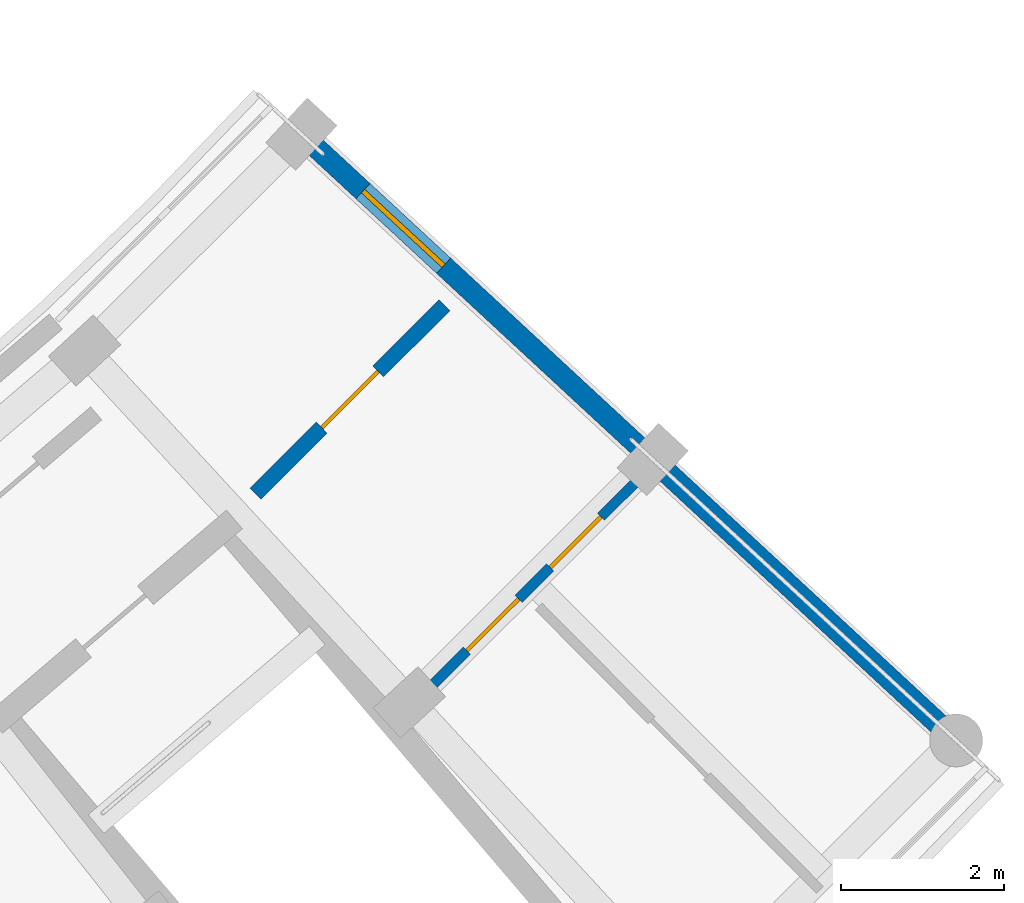
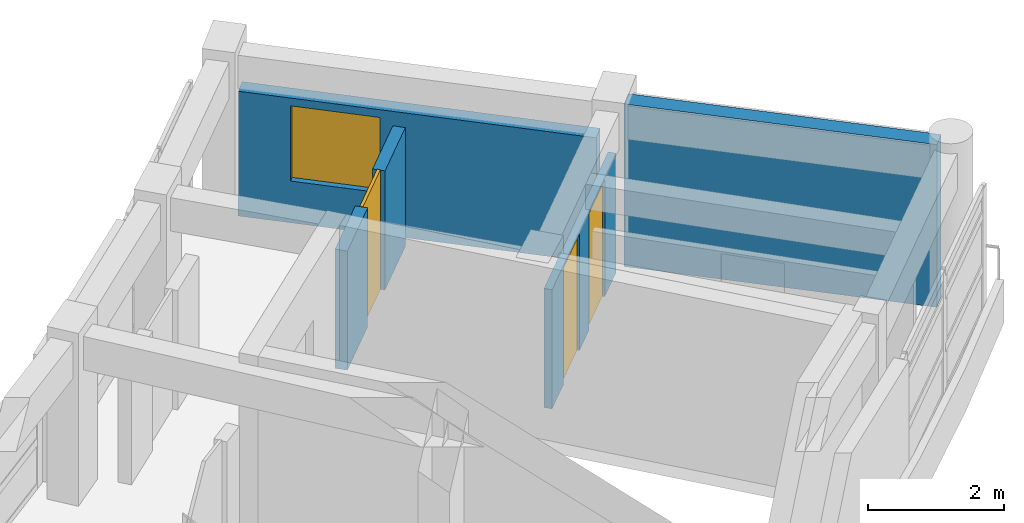
# One storey, part 39 of 54: 4 walls, 3 doors, 1 window, 4 openings.
"""IFC4 building model written with IfcOpenShell, lengths in metres."""

from ifc_helpers import new_model, si_unit, direction, frame, frame_2d, origin, place, context, subcontext, project, spatial, rectangle, extrude, material, layer, layer_set, type_object, element, fill, save


model = new_model("IFC4")

# Units and contexts
model_context = context("Model", 3, precision=1e-05, world=origin(), true_north=direction((0.0, 1.0)))
body_context = subcontext(model_context, "Body", "Model", "MODEL_VIEW")
ifc_project = project(units=[si_unit("LENGTHUNIT", "METRE"), si_unit("AREAUNIT", "SQUARE_METRE"), si_unit("VOLUMEUNIT", "CUBIC_METRE"), si_unit("PLANEANGLEUNIT", "RADIAN"), si_unit("MASSUNIT", "GRAM", prefix="KILO")], contexts=[model_context])

# Site, building, storey
site_placement = place(None, origin())
site = spatial("IfcSite", under=ifc_project, at=site_placement, CompositionType="ELEMENT")
building_placement = place(site_placement, origin())
building = spatial("IfcBuilding", under=site, at=building_placement, Name="Zimvara Arc Housing Community", CompositionType="ELEMENT")
storey_placement = place(building_placement, frame((0.0, 0.0, 23.60009765625)))
storey = spatial("IfcBuildingStorey", under=building, at=storey_placement, Name="L07", CompositionType="ELEMENT", Elevation=23.60009765625)

# Wall, opening, window
ifc_material_1 = material(Name="Board-Marked Fair-Faced Concrete C35/45", Category="concrete")
ifc_layer_1 = layer(ifc_material_1, 0.2548828125)
ifc_layer_set_1 = layer_set([ifc_layer_1], Name="Board-Marked Fair-Faced Concrete C35/45")
wall_type_1 = type_object("IfcWallType", Name="EWL-CONC-255", PredefinedType="SOLIDWALL", material=ifc_layer_set_1)
wall_1_placement = place(storey_placement, frame((161.31640625, 77.13818359375, 0.0), z_axis=(0.0, 0.0, 1.0), x_axis=(0.733734795505, -0.679435979225, 0.0)))
wall_1 = element("IfcWall", 1, at=wall_1_placement, inside=storey, type_object=wall_type_1, Name="ewall:blkD:L07:gN", PredefinedType="SOLIDWALL", context=body_context, shape_type="SweptSolid", body=[
    extrude(rectangle(XDim=5.39990234375, YDim=0.2548828125, at=frame_2d((2.699951171875, 0.0))), origin(), (0.0, 0.0, 1.0), 2.239990234375),
])
opening_1_placement = place(wall_1_placement, frame((0.7900390625, 0.0, 0.75)))
opening_1 = element("IfcOpeningElement", 2, at=opening_1_placement, cuts=wall_1, Name="Opening W12", PredefinedType="OPENING", context=body_context, shape_type="SweptSolid", body=[
    extrude(rectangle(XDim=1.35009765625, YDim=1.35009765625, at=frame_2d((0.675048828125, 0.675048828125))), frame((0.0, 0.137451171875, 0.0), z_axis=(0.0, -1.0, 0.0), x_axis=(1.0, 0.0, 0.0)), (0.0, 0.0, 1.0), 0.27490234375),
])
ifc_material_2 = material(Name="Solar Control Low-E Double Glazing", Category="glass")
window_type = type_object("IfcWindowType", Name="WIN-RES-1350x1350", PartitioningType="DOUBLE_PANEL_VERTICAL", PredefinedType="WINDOW", material=ifc_material_2)
window_placement = place(opening_1_placement, origin())
window = element("IfcWindow", 3, at=window_placement, inside=storey, type_object=window_type, Name="win:blkD:L07:gN:w", OverallHeight=1.35009765625, OverallWidth=1.35009765625, PartitioningType="DOUBLE_PANEL_VERTICAL", PredefinedType="WINDOW", context=body_context, shape_type="SweptSolid", body=[
    extrude(rectangle(XDim=1.35009765625, YDim=1.35009765625, at=frame_2d((0.675048828125, 0.675048828125))), frame((0.0, 0.030029296875, 0.0), z_axis=(0.0, -1.0, 0.0), x_axis=(1.0, 0.0, 0.0)), (0.0, 0.0, 1.0), 0.06005859375),
])
fill(opening_1, window)

# Wall, opening, door
ifc_material_3 = material(Name="Concrete C35/45", Category="concrete")
ifc_layer_2 = layer(ifc_material_3, 0.18994140625)
ifc_layer_set_2 = layer_set([ifc_layer_2], Name="Concrete C35/45")
wall_type_2 = type_object("IfcWallType", Name="IWL-CORR-190", PredefinedType="SOLIDWALL", material=ifc_layer_set_2)
wall_2_placement = place(storey_placement, frame((160.576416015625, 72.8837890625, 0.0), z_axis=(0.0, 0.0, 1.0), x_axis=(0.70773973846, 0.706473256822, 0.0)))
wall_2 = element("IfcWall", 4, at=wall_2_placement, inside=storey, type_object=wall_type_2, Name="iwall:blkD:L07:corr_out:b9", PredefinedType="SOLIDWALL", context=body_context, shape_type="SweptSolid", body=[
    extrude(rectangle(XDim=3.277099609375, YDim=0.18994140625, at=frame_2d((1.638671875, 0.0))), origin(), (0.0, 0.0, 1.0), 2.139892578125),
])
opening_2_placement = place(wall_2_placement, frame((1.1484375, 0.0, 0.0)))
opening_2 = element("IfcOpeningElement", 5, at=opening_2_placement, cuts=wall_2, Name="Opening FD-FL1", PredefinedType="OPENING", context=body_context, shape_type="SweptSolid", body=[
    extrude(rectangle(XDim=0.97998046875, YDim=2.14990234375, at=frame_2d((0.489990234375, 1.074951171875))), frame((0.0, 0.10498046875, 0.0), z_axis=(0.0, -1.0, 0.0), x_axis=(1.0, 0.0, 0.0)), (0.0, 0.0, 1.0), 0.2099609375),
])
ifc_material_4 = material(Name="Mozambican Hardwood", Category="wood")
door_type_1 = type_object("IfcDoorType", Name="IDR-FLAT-0980x2150", OperationType="NOTDEFINED", PredefinedType="DOOR", material=ifc_material_4)
door_1_placement = place(opening_2_placement, origin())
door_1 = element("IfcDoor", 6, at=door_1_placement, inside=storey, type_object=door_type_1, Name="idoor:blkD:L07:flat:b9", OperationType="SINGLE_SWING_RIGHT", OverallHeight=2.14990234375, OverallWidth=0.97998046875, PredefinedType="DOOR", context=body_context, shape_type="SweptSolid", body=[
    extrude(rectangle(XDim=0.97998046875, YDim=2.14990234375, at=frame_2d((0.489990234375, 1.074951171875))), frame((0.0, 0.02490234375, 0.0), z_axis=(0.0, -1.0, 0.0), x_axis=(1.0, 0.0, 0.0)), (0.0, 0.0, 1.0), 0.050048828125),
])
fill(opening_2, door_1)

# Wall, openings, doors
ifc_material_5 = material(Name="Painted Acoustic Plasterboard")
ifc_layer_3 = layer(ifc_material_5, 0.125)
ifc_layer_set_3 = layer_set([ifc_layer_3], Name="Painted Acoustic Plasterboard")
wall_type_3 = type_object("IfcWallType", Name="IWL-PART-125", PredefinedType="PARTITIONING", material=ifc_layer_set_3)
wall_3_placement = place(storey_placement, frame((162.711181640625, 70.496826171875, 0.0), z_axis=(0.0, 0.0, 1.0), x_axis=(0.70774573777, 0.706467246706, 0.0)))
wall_3 = element("IfcWall", 7, at=wall_3_placement, inside=storey, type_object=wall_type_3, Name="iwall:blkD:L07:srv:b9", PredefinedType="PARTITIONING", context=body_context, shape_type="SweptSolid", body=[
    extrude(rectangle(XDim=3.628173828125, YDim=0.125, at=frame_2d((1.81396484375, 0.0))), origin(), (0.0, 0.0, 1.0), 2.139892578125),
])
opening_3_placement = place(wall_3_placement, frame((0.64990234375, 0.0, 0.0)))
opening_3 = element("IfcOpeningElement", 8, at=opening_3_placement, cuts=wall_3, Name="Opening D01", PredefinedType="OPENING", context=body_context, shape_type="SweptSolid", body=[
    extrude(rectangle(XDim=0.89990234375, YDim=2.10009765625, at=frame_2d((0.449951171875, 1.050048828125))), frame((0.0, 0.072509765625, 0.0), z_axis=(0.0, -1.0, 0.0), x_axis=(1.0, 0.0, 0.0)), (0.0, 0.0, 1.0), 0.14501953125),
])
opening_4_placement = place(wall_3_placement, frame((2.098388671875, 0.0, 0.0)))
opening_4 = element("IfcOpeningElement", 9, at=opening_4_placement, cuts=wall_3, Name="Opening D05", PredefinedType="OPENING", context=body_context, shape_type="SweptSolid", body=[
    extrude(rectangle(XDim=0.8798828125, YDim=2.10009765625, at=frame_2d((0.43994140625, 1.050048828125))), frame((0.0, 0.072509765625, 0.0), z_axis=(0.0, -1.0, 0.0), x_axis=(1.0, 0.0, 0.0)), (0.0, 0.0, 1.0), 0.14501953125),
])
ifc_material_6 = material(Name="Mozambican Hardwood", Category="wood")
door_type_2 = type_object("IfcDoorType", Name="IDR-RM-0900x2100", OperationType="NOTDEFINED", PredefinedType="DOOR", material=ifc_material_6)
door_2_placement = place(opening_3_placement, origin())
door_2 = element("IfcDoor", 10, at=door_2_placement, inside=storey, type_object=door_type_2, Name="idoor:blkD:L07:kit_liv:b9", OperationType="SINGLE_SWING_LEFT", OverallHeight=2.10009765625, OverallWidth=0.89990234375, PredefinedType="DOOR", context=body_context, shape_type="SweptSolid", body=[
    extrude(rectangle(XDim=0.89990234375, YDim=2.10009765625, at=frame_2d((0.449951171875, 1.050048828125))), frame((0.0, 0.02490234375, 0.0), z_axis=(0.0, -1.0, 0.0), x_axis=(1.0, 0.0, 0.0)), (0.0, 0.0, 1.0), 0.050048828125),
])
fill(opening_3, door_2)
ifc_material_7 = material(Name="Mozambican Hardwood", Category="wood")
door_type_3 = type_object("IfcDoorType", Name="IDR-WC-0880x2100", OperationType="NOTDEFINED", PredefinedType="DOOR", material=ifc_material_7)
door_3_placement = place(opening_4_placement, origin())
door_3 = element("IfcDoor", 11, at=door_3_placement, inside=storey, type_object=door_type_3, Name="idoor:blkD:L07:bath_d:b9", OperationType="SINGLE_SWING_RIGHT", OverallHeight=2.10009765625, OverallWidth=0.8798828125, PredefinedType="DOOR", context=body_context, shape_type="SweptSolid", body=[
    extrude(rectangle(XDim=0.8798828125, YDim=2.10009765625, at=frame_2d((0.43994140625, 1.050048828125))), frame((0.0, 0.02490234375, 0.0), z_axis=(0.0, -1.0, 0.0), x_axis=(1.0, 0.0, 0.0)), (0.0, 0.0, 1.0), 0.050048828125),
])
fill(opening_4, door_3)

# Wall
ifc_material_8 = material(Name="Concrete C40/50", Category="concrete")
ifc_layer_4 = layer(ifc_material_8, 0.27001953125)
ifc_layer_set_4 = layer_set([ifc_layer_4], Name="Concrete C40/50")
wall_type_4 = type_object("IfcWallType", Name="WL-SHEAR-270", PredefinedType="SHEAR", material=ifc_layer_set_4)
wall_4_placement = place(storey_placement, frame((165.586669921875, 73.183837890625, 0.0), z_axis=(0.0, 0.0, 1.0), x_axis=(0.733739663667, -0.679430721974, 0.0)))
element("IfcWall", 12, at=wall_4_placement, inside=storey, type_object=wall_type_4, Name="swall:blkD:L07:east", PredefinedType="SHEAR", context=body_context, shape_type="SweptSolid", body=[
    extrude(rectangle(XDim=4.72021484375, YDim=0.27001953125, at=frame_2d((2.360107421875, 0.0))), origin(), (0.0, 0.0, 1.0), 2.919921875),
])

save(model, "model.ifc")
